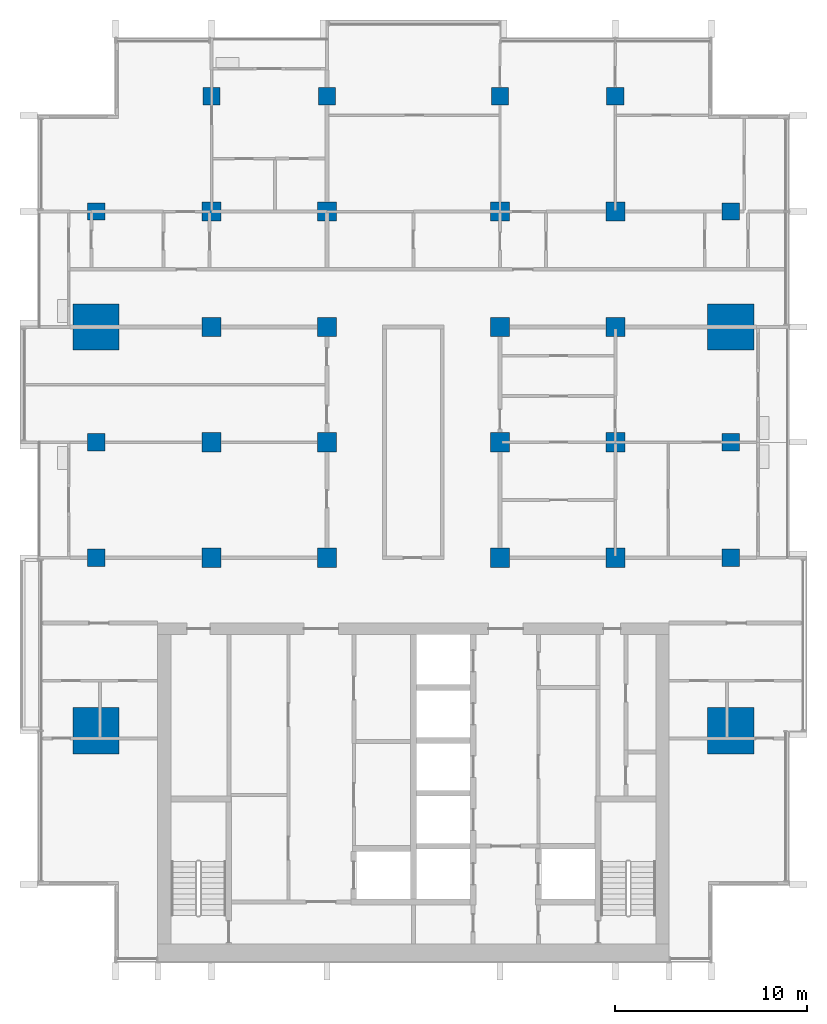
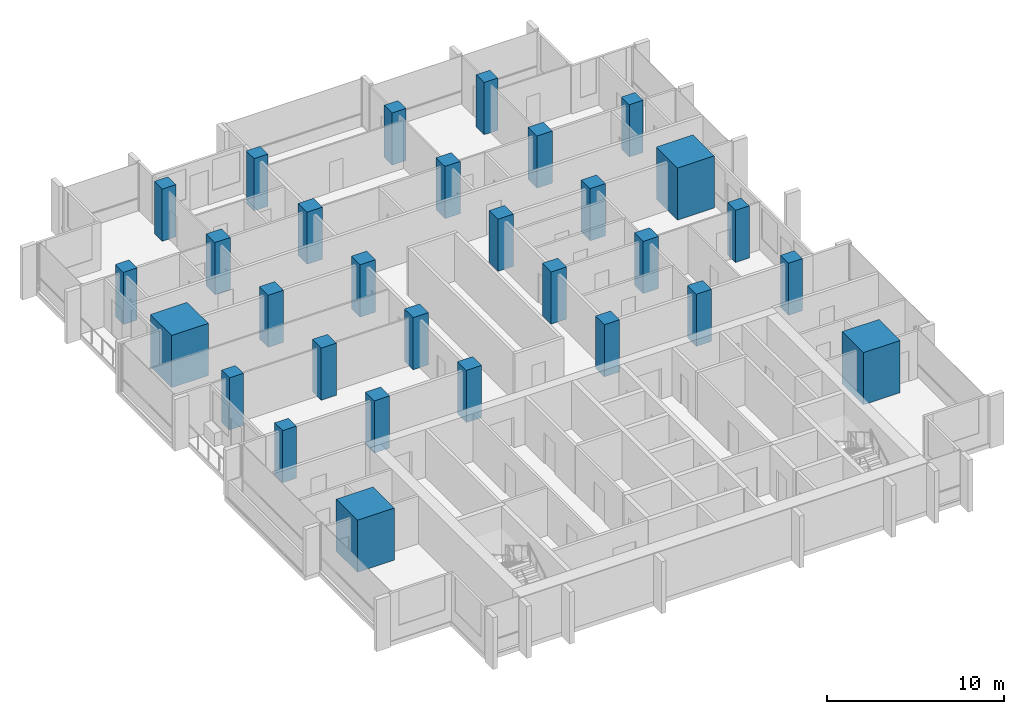
# One storey, part 1 of 17: 30 columns.
"""IFC4 building model written with IfcOpenShell, lengths in metres."""

from ifc_helpers import new_model, si_unit, direction, frame, origin, origin_2d, place, context, subcontext, project, spatial, rectangle, extrude, material, material_profile, profile_set, type_object, element, save


model = new_model("IFC4")

# Units and contexts
model_context = context("Model", 3, precision=1e-05, world=origin(), true_north=direction((0.0, 1.0)))
body_context = subcontext(model_context, "Body", "Model", "MODEL_VIEW")
ifc_project = project(units=[si_unit("LENGTHUNIT", "METRE"), si_unit("AREAUNIT", "SQUARE_METRE"), si_unit("VOLUMEUNIT", "CUBIC_METRE"), si_unit("PLANEANGLEUNIT", "RADIAN"), si_unit("MASSUNIT", "GRAM", prefix="KILO")], contexts=[model_context])

# Site, building, storey
site_placement = place(None, origin())
site = spatial("IfcSite", under=ifc_project, at=site_placement, CompositionType="ELEMENT")
building_placement = place(site_placement, origin())
building = spatial("IfcBuilding", under=site, at=building_placement, Name="Finial Court Residences", CompositionType="ELEMENT")
storey_placement = place(building_placement, frame((0.0, 0.0, 152.89990234375)))
storey = spatial("IfcBuildingStorey", under=building, at=storey_placement, Name="L37", CompositionType="ELEMENT", Elevation=152.89990234375)

# Columns
ifc_material = material(Name="Concrete C60/75", Category="concrete")
ifc_material_profile_1 = material_profile(ifc_material, rectangle(XDim=1.0, YDim=1.0, at=origin_2d()), Name="1000x1000")
ifc_profile_set_1 = profile_set([ifc_material_profile_1], Name="Concrete C60/75")
column_type_1 = type_object("IfcColumnType", Name="Interior column 1000x1000 Concrete C60/75", PredefinedType="COLUMN", material=ifc_profile_set_1)
for number, where, z_axis, x_axis, name in (
    (1, (-10.5, -4.5, 0.0), (0.0, 0.0, 1.0), (1.0, 0.0, 0.0), "S:COL:L37:D4"),
    (2, (-10.5, 1.5, 0.0), (0.0, 0.0, 1.0), (1.0, 0.0, 0.0), "S:COL:L37:D5"),
    (3, (-10.5, 7.5, 0.0), (0.0, 0.0, 1.0), (1.0, 0.0, 0.0), "S:COL:L37:D6"),
    (4, (-10.5, 13.5, 0.0), (0.0, 0.0, 1.0), (1.0, 0.0, 0.0), "S:COL:L37:D7"),
    (5, (-4.5, -4.5, 0.0), (0.0, 0.0, 1.0), (1.0, 0.0, 0.0), "S:COL:L37:E4"),
    (6, (-4.5, 1.5, 0.0), (0.0, 0.0, 1.0), (1.0, 0.0, 0.0), "S:COL:L37:E5"),
    (7, (-4.5, 7.5, 0.0), (0.0, 0.0, 1.0), (1.0, 0.0, 0.0), "S:COL:L37:E6"),
    (8, (-4.5, 13.5, 0.0), (0.0, 0.0, 1.0), (1.0, 0.0, 0.0), "S:COL:L37:E7"),
    (9, (4.5, -4.5, 0.0), (0.0, 0.0, 1.0), (1.0, 0.0, 0.0), "S:COL:L37:F4"),
    (10, (4.5, 1.5, 0.0), (0.0, 0.0, 1.0), (1.0, 0.0, 0.0), "S:COL:L37:F5"),
    (11, (4.5, 7.5, 0.0), (0.0, 0.0, 1.0), (1.0, 0.0, 0.0), "S:COL:L37:F6"),
    (12, (4.5, 13.5, 0.0), (0.0, 0.0, 1.0), (1.0, 0.0, 0.0), "S:COL:L37:F7"),
    (13, (10.5, -4.5, 0.0), (0.0, 0.0, 1.0), (1.0, 0.0, 0.0), "S:COL:L37:G4"),
    (14, (10.5, 1.5, 0.0), (0.0, 0.0, 1.0), (1.0, 0.0, 0.0), "S:COL:L37:G5"),
    (15, (10.5, 7.5, 0.0), (0.0, 0.0, 1.0), (1.0, 0.0, 0.0), "S:COL:L37:G6"),
    (16, (10.5, 13.5, 0.0), (0.0, 0.0, 1.0), (1.0, 0.0, 0.0), "S:COL:L37:G7"),
):
    element("IfcColumn", number, at=place(storey_placement, frame(where, z_axis=z_axis, x_axis=x_axis)), inside=storey, type_object=column_type_1, Name=name, PredefinedType="COLUMN", context=body_context, shape_type="SweptSolid", body=[
        extrude(rectangle(XDim=1.0, YDim=1.0, at=origin_2d()), origin(), (0.0, 0.0, 1.0), 3.60009765625),
    ])
ifc_material_profile_2 = material_profile(ifc_material, rectangle(XDim=2.39990234375, YDim=2.39990234375, at=origin_2d()), Name="2400x2400")
ifc_profile_set_2 = profile_set([ifc_material_profile_2], Name="Concrete C60/75")
column_type_2 = type_object("IfcColumnType", Name="Mega column 2400x2400 Concrete C60/75", PredefinedType="COLUMN", material=ifc_profile_set_2)
for number, where, z_axis, x_axis, name in (
    (17, (-16.5, -13.5, 0.0), (0.0, 0.0, 1.0), (1.0, 0.0, 0.0), "S:COL:L37:C3"),
    (18, (-16.5, 7.5, 0.0), (0.0, 0.0, 1.0), (1.0, 0.0, 0.0), "S:COL:L37:C6"),
    (19, (16.5, -13.5, 0.0), (0.0, 0.0, 1.0), (1.0, 0.0, 0.0), "S:COL:L37:H3"),
    (20, (16.5, 7.5, 0.0), (0.0, 0.0, 1.0), (1.0, 0.0, 0.0), "S:COL:L37:H6"),
):
    element("IfcColumn", number, at=place(storey_placement, frame(where, z_axis=z_axis, x_axis=x_axis)), inside=storey, type_object=column_type_2, Name=name, PredefinedType="COLUMN", context=body_context, shape_type="SweptSolid", body=[
        extrude(rectangle(XDim=2.39990234375, YDim=2.39990234375, at=origin_2d()), origin(), (0.0, 0.0, 1.0), 3.60009765625),
    ])
ifc_material_profile_3 = material_profile(ifc_material, rectangle(XDim=0.89990234375, YDim=0.89990234375, at=origin_2d()), Name="900x900")
ifc_profile_set_3 = profile_set([ifc_material_profile_3], Name="Concrete C60/75")
column_type_3 = type_object("IfcColumnType", Name="Perimeter column 900x900 Concrete C60/75", PredefinedType="COLUMN", material=ifc_profile_set_3)
for number, where, z_axis, x_axis, name in (
    (21, (-16.5, -4.5, 0.0), (0.0, 0.0, 1.0), (1.0, 0.0, 0.0), "S:COL:L37:C4"),
    (22, (-16.5, 1.5, 0.0), (0.0, 0.0, 1.0), (1.0, 0.0, 0.0), "S:COL:L37:C5"),
    (23, (-16.5, 13.5, 0.0), (0.0, 0.0, 1.0), (1.0, 0.0, 0.0), "S:COL:L37:C7"),
    (24, (-10.5, 19.5, 0.0), (0.0, 0.0, 1.0), (1.0, 0.0, 0.0), "S:COL:L37:D8"),
    (25, (-4.5, 19.5, 0.0), (0.0, 0.0, 1.0), (1.0, 0.0, 0.0), "S:COL:L37:E8"),
    (26, (4.5, 19.5, 0.0), (0.0, 0.0, 1.0), (1.0, 0.0, 0.0), "S:COL:L37:F8"),
    (27, (10.5, 19.5, 0.0), (0.0, 0.0, 1.0), (1.0, 0.0, 0.0), "S:COL:L37:G8"),
    (28, (16.5, -4.5, 0.0), (0.0, 0.0, 1.0), (1.0, 0.0, 0.0), "S:COL:L37:H4"),
    (29, (16.5, 1.5, 0.0), (0.0, 0.0, 1.0), (1.0, 0.0, 0.0), "S:COL:L37:H5"),
    (30, (16.5, 13.5, 0.0), (0.0, 0.0, 1.0), (1.0, 0.0, 0.0), "S:COL:L37:H7"),
):
    element("IfcColumn", number, at=place(storey_placement, frame(where, z_axis=z_axis, x_axis=x_axis)), inside=storey, type_object=column_type_3, Name=name, PredefinedType="COLUMN", context=body_context, shape_type="SweptSolid", body=[
        extrude(rectangle(XDim=0.89990234375, YDim=0.89990234375, at=origin_2d()), origin(), (0.0, 0.0, 1.0), 3.60009765625),
    ])

save(model, "model.ifc")
